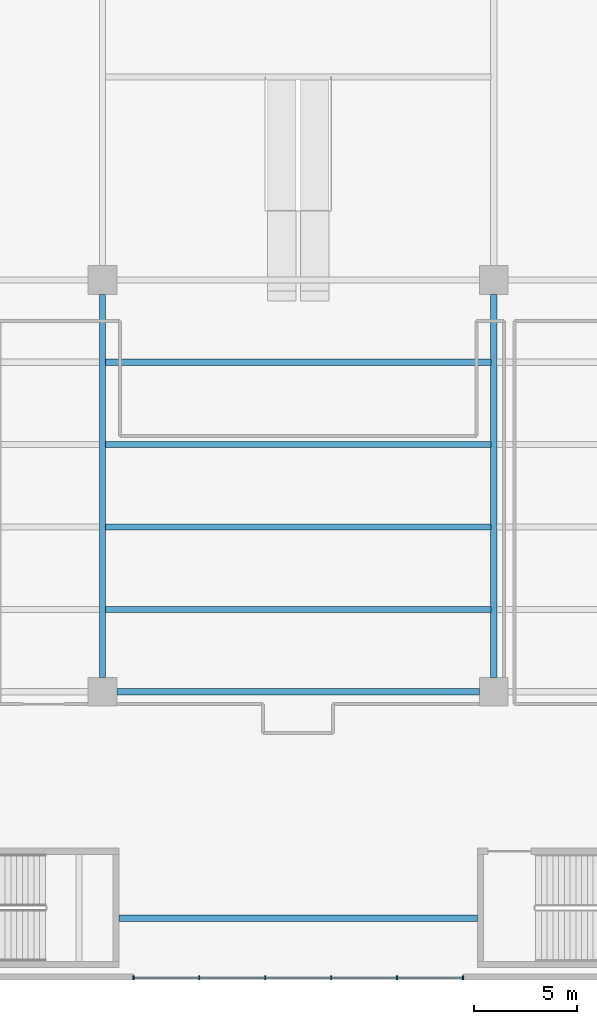
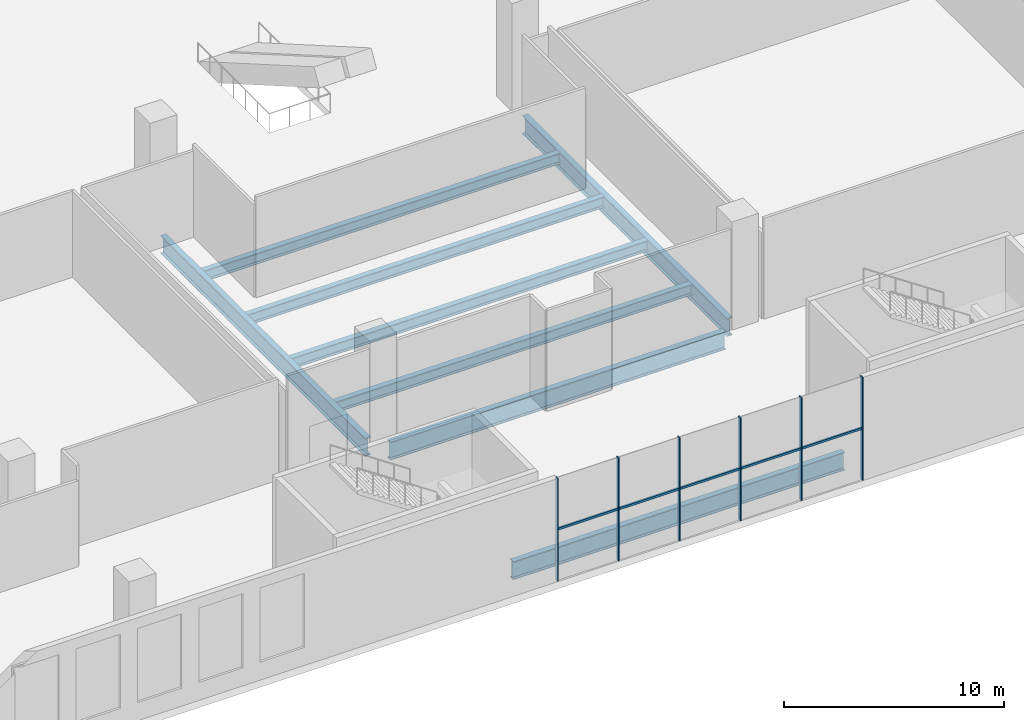
# One storey, part 2 of 25: 8 beams, 7 members, 1 element without a shape of its own.
"""IFC4 building model written with IfcOpenShell, lengths in metres."""

from ifc_helpers import new_model, si_unit, direction, frame, origin, origin_2d, place, context, subcontext, project, spatial, rectangle, i_section, extrude, material, material_profile, profile_set, type_object, element, aggregate, save


model = new_model("IFC4")

# Units and contexts
model_context = context("Model", 3, precision=1e-05, world=origin(), true_north=direction((0.0, 1.0)))
body_context = subcontext(model_context, "Body", "Model", "MODEL_VIEW")
ifc_project = project(units=[si_unit("LENGTHUNIT", "METRE"), si_unit("AREAUNIT", "SQUARE_METRE"), si_unit("VOLUMEUNIT", "CUBIC_METRE"), si_unit("PLANEANGLEUNIT", "RADIAN"), si_unit("MASSUNIT", "GRAM", prefix="KILO")], contexts=[model_context])

# Site, building, storey
site_placement = place(None, origin())
site = spatial("IfcSite", under=ifc_project, at=site_placement, CompositionType="ELEMENT")
building_placement = place(site_placement, origin())
building = spatial("IfcBuilding", under=site, at=building_placement, Name="Tel Ilan Convention Tower", CompositionType="ELEMENT")
storey_placement = place(building_placement, frame((0.0, 0.0, 26.0)))
storey = spatial("IfcBuildingStorey", under=building, at=storey_placement, Name="L03", CompositionType="ELEMENT", Elevation=26.0)

# Curtain wall, members
ifc_material_1 = material(Name="Aluminium, bronze anodised", Category="aluminium")
curtain_wall_type = type_object("IfcCurtainWallType", Name="CW3 FOYER CURTAIN WALL, CLEAR GLASS", PredefinedType="NOTDEFINED", material=ifc_material_1)
curtain_wall_placement = place(storey_placement, origin())
curtain_wall = element("IfcCurtainWall", 1, at=curtain_wall_placement, inside=storey, type_object=curtain_wall_type, Name="Curtain wall CW3-06.F01", PredefinedType="NOTDEFINED")
ifc_material_2 = material(Name="Aluminium, bronze anodised", Category="aluminium")
ifc_material_profile_1 = material_profile(ifc_material_2, rectangle(XDim=0.06005859375, YDim=0.199951171875, at=origin_2d()), Name="CW MULLION 60x200")
ifc_profile_set_1 = profile_set([ifc_material_profile_1], Name="Aluminium, bronze anodised")
member_type_1 = type_object("IfcMemberType", Name="CW MULLION 60x200", PredefinedType="MULLION", material=ifc_profile_set_1)
member_1_placement = place(storey_placement, frame((-8.0, -81.89990234375, 0.0), z_axis=(0.0, 0.0, 1.0), x_axis=(1.0, 0.0, 0.0)))
member_1 = element("IfcMember", 2, at=member_1_placement, type_object=member_type_1, Name="Mullion", PredefinedType="MULLION", context=body_context, shape_type="SweptSolid", body=[
    extrude(rectangle(XDim=0.06005859375, YDim=0.199951171875, at=origin_2d()), origin(), (0.0, 0.0, 1.0), 5.719970703125),
])
member_2_placement = place(storey_placement, frame((-4.800048828125, -81.89990234375, 0.0), z_axis=(0.0, 0.0, 1.0), x_axis=(1.0, 0.0, 0.0)))
member_2 = element("IfcMember", 3, at=member_2_placement, type_object=member_type_1, Name="Mullion", PredefinedType="MULLION", context=body_context, shape_type="SweptSolid", body=[
    extrude(rectangle(XDim=0.06005859375, YDim=0.199951171875, at=origin_2d()), origin(), (0.0, 0.0, 1.0), 5.719970703125),
])
member_3_placement = place(storey_placement, frame((-1.60009765625, -81.89990234375, 0.0), z_axis=(0.0, 0.0, 1.0), x_axis=(1.0, 0.0, 0.0)))
member_3 = element("IfcMember", 4, at=member_3_placement, type_object=member_type_1, Name="Mullion", PredefinedType="MULLION", context=body_context, shape_type="SweptSolid", body=[
    extrude(rectangle(XDim=0.06005859375, YDim=0.199951171875, at=origin_2d()), origin(), (0.0, 0.0, 1.0), 5.719970703125),
])
member_4_placement = place(storey_placement, frame((1.60009765625, -81.89990234375, 0.0), z_axis=(0.0, 0.0, 1.0), x_axis=(1.0, 0.0, 0.0)))
member_4 = element("IfcMember", 5, at=member_4_placement, type_object=member_type_1, Name="Mullion", PredefinedType="MULLION", context=body_context, shape_type="SweptSolid", body=[
    extrude(rectangle(XDim=0.06005859375, YDim=0.199951171875, at=origin_2d()), origin(), (0.0, 0.0, 1.0), 5.719970703125),
])
member_5_placement = place(storey_placement, frame((4.800048828125, -81.89990234375, 0.0), z_axis=(0.0, 0.0, 1.0), x_axis=(1.0, 0.0, 0.0)))
member_5 = element("IfcMember", 6, at=member_5_placement, type_object=member_type_1, Name="Mullion", PredefinedType="MULLION", context=body_context, shape_type="SweptSolid", body=[
    extrude(rectangle(XDim=0.06005859375, YDim=0.199951171875, at=origin_2d()), origin(), (0.0, 0.0, 1.0), 5.719970703125),
])
member_6_placement = place(storey_placement, frame((8.0, -81.89990234375, 0.0), z_axis=(0.0, 0.0, 1.0), x_axis=(1.0, 0.0, 0.0)))
member_6 = element("IfcMember", 7, at=member_6_placement, type_object=member_type_1, Name="Mullion", PredefinedType="MULLION", context=body_context, shape_type="SweptSolid", body=[
    extrude(rectangle(XDim=0.06005859375, YDim=0.199951171875, at=origin_2d()), origin(), (0.0, 0.0, 1.0), 5.719970703125),
])
ifc_material_3 = material(Name="Aluminium, bronze anodised", Category="aluminium")
ifc_material_profile_2 = material_profile(ifc_material_3, rectangle(XDim=0.10009765625, YDim=0.1201171875, at=origin_2d()), Name="CW TRANSOM 100x120")
ifc_profile_set_2 = profile_set([ifc_material_profile_2], Name="Aluminium, bronze anodised")
member_type_2 = type_object("IfcMemberType", Name="CW TRANSOM 100x120", PredefinedType="USERDEFINED", material=ifc_profile_set_2)
member_7_placement = place(storey_placement, frame((-7.969970703125, -81.89990234375, 2.860107421875), z_axis=(1.0, 0.0, 0.0), x_axis=(0.0, 1.0, 0.0)))
member_7 = element("IfcMember", 8, at=member_7_placement, type_object=member_type_2, Name="Transom", ObjectType="TRANSOM", PredefinedType="USERDEFINED", context=body_context, shape_type="SweptSolid", body=[
    extrude(rectangle(XDim=0.10009765625, YDim=0.1201171875, at=origin_2d()), origin(), (0.0, 0.0, 1.0), 15.93994140625),
])
aggregate(curtain_wall, [member_1, member_2, member_3, member_4, member_5, member_6, member_7])

# Beams
ifc_material_4 = material(Name="Steel S355", Category="steel")
ifc_material_profile_3 = material_profile(ifc_material_4, i_section(OverallWidth=0.300048828125, OverallDepth=1.0, WebThickness=0.01904296875, FlangeThickness=0.035888671875, FilletRadius=0.030029296875, at=origin_2d()), Name="HEB 1000")
ifc_profile_set_3 = profile_set([ifc_material_profile_3], Name="Steel S355")
beam_type_1 = type_object("IfcBeamType", Name="Girder HEB 1000 Steel S355", PredefinedType="BEAM", material=ifc_profile_set_3)
beam_1_placement = place(storey_placement, frame((-8.800048828125, -68.0, -0.89990234375), z_axis=(1.0, 0.0, 0.0), x_axis=(0.0, 1.0, 0.0)))
element("IfcBeam", 9, at=beam_1_placement, inside=storey, type_object=beam_type_1, Name="L03 beam GX23-4", PredefinedType="BEAM", context=body_context, shape_type="SweptSolid", body=[
    extrude(i_section(OverallWidth=0.300048828125, OverallDepth=1.0, WebThickness=0.01904296875, FlangeThickness=0.035888671875, FilletRadius=0.030029296875, at=origin_2d()), origin(), (0.0, 0.0, 1.0), 17.60009765625),
])
for number, where, z_axis, x_axis, name in (
    (10, (-9.5, -67.300048828125, -0.89990234375), (0.0, 1.0, 0.0), (-1.0, 0.0, 0.0), "L03 beam GY32-3"),
    (11, (9.5, -67.300048828125, -0.89990234375), (0.0, 1.0, 0.0), (-1.0, 0.0, 0.0), "L03 beam GY42-3"),
):
    element("IfcBeam", number, at=place(storey_placement, frame(where, z_axis=z_axis, x_axis=x_axis)), inside=storey, type_object=beam_type_1, Name=name, PredefinedType="BEAM", context=body_context, shape_type="SweptSolid", body=[
        extrude(i_section(OverallWidth=0.300048828125, OverallDepth=1.0, WebThickness=0.01904296875, FlangeThickness=0.035888671875, FilletRadius=0.030029296875, at=origin_2d()), origin(), (0.0, 0.0, 1.0), 18.60009765625),
    ])
beam_2_placement = place(storey_placement, frame((-8.699951171875, -79.0, -0.89990234375), z_axis=(1.0, 0.0, 0.0), x_axis=(0.0, 1.0, 0.0)))
element("IfcBeam", 12, at=beam_2_placement, inside=storey, type_object=beam_type_1, Name="L03 beam GS21", PredefinedType="BEAM", context=body_context, shape_type="SweptSolid", body=[
    extrude(i_section(OverallWidth=0.300048828125, OverallDepth=1.0, WebThickness=0.01904296875, FlangeThickness=0.035888671875, FilletRadius=0.030029296875, at=origin_2d()), origin(), (0.0, 0.0, 1.0), 17.39990234375),
])
ifc_material_5 = material(Name="Steel S355", Category="steel")
ifc_material_profile_4 = material_profile(ifc_material_5, i_section(OverallWidth=0.300048828125, OverallDepth=0.60009765625, WebThickness=0.015380859375, FlangeThickness=0.030029296875, FilletRadius=0.027099609375, at=origin_2d()), Name="HEB 600")
ifc_profile_set_4 = profile_set([ifc_material_profile_4], Name="Steel S355")
beam_type_2 = type_object("IfcBeamType", Name="Joist HEB 600 Steel S355", PredefinedType="JOIST", material=ifc_profile_set_4)
for number, where, z_axis, x_axis, name in (
    (13, (-9.360107421875, -64.0, -0.699951171875), (1.0, 0.0, 0.0), (0.0, 1.0, 0.0), "L03 beam J3--68-1"),
    (14, (-9.360107421875, -60.0, -0.699951171875), (1.0, 0.0, 0.0), (0.0, 1.0, 0.0), "L03 beam J3--68-2"),
    (15, (-9.360107421875, -56.0, -0.699951171875), (1.0, 0.0, 0.0), (0.0, 1.0, 0.0), "L03 beam J3--68-3"),
    (16, (-9.360107421875, -52.0, -0.699951171875), (1.0, 0.0, 0.0), (0.0, 1.0, 0.0), "L03 beam J3--68-4"),
):
    element("IfcBeam", number, at=place(storey_placement, frame(where, z_axis=z_axis, x_axis=x_axis)), inside=storey, type_object=beam_type_2, Name=name, PredefinedType="JOIST", context=body_context, shape_type="SweptSolid", body=[
        extrude(i_section(OverallWidth=0.300048828125, OverallDepth=0.60009765625, WebThickness=0.015380859375, FlangeThickness=0.030029296875, FilletRadius=0.027099609375, at=origin_2d()), origin(), (0.0, 0.0, 1.0), 18.72021484375),
    ])

save(model, "model.ifc")
